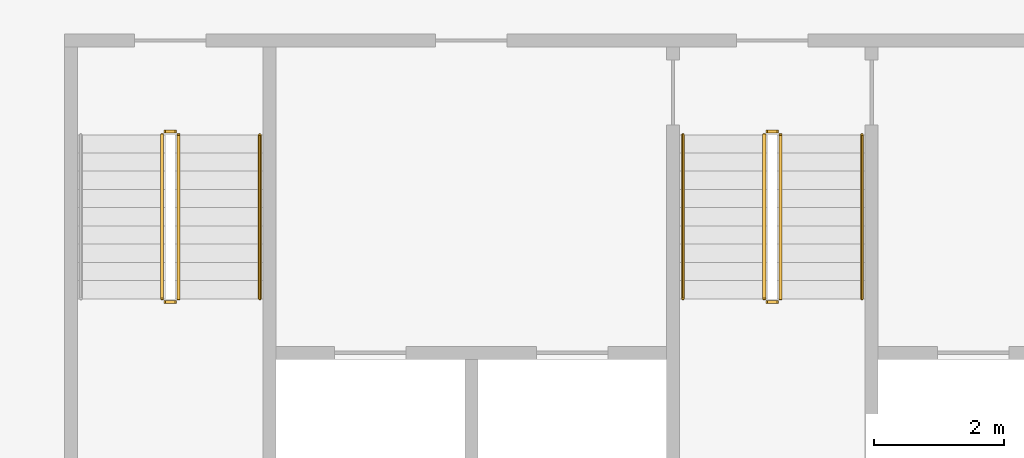
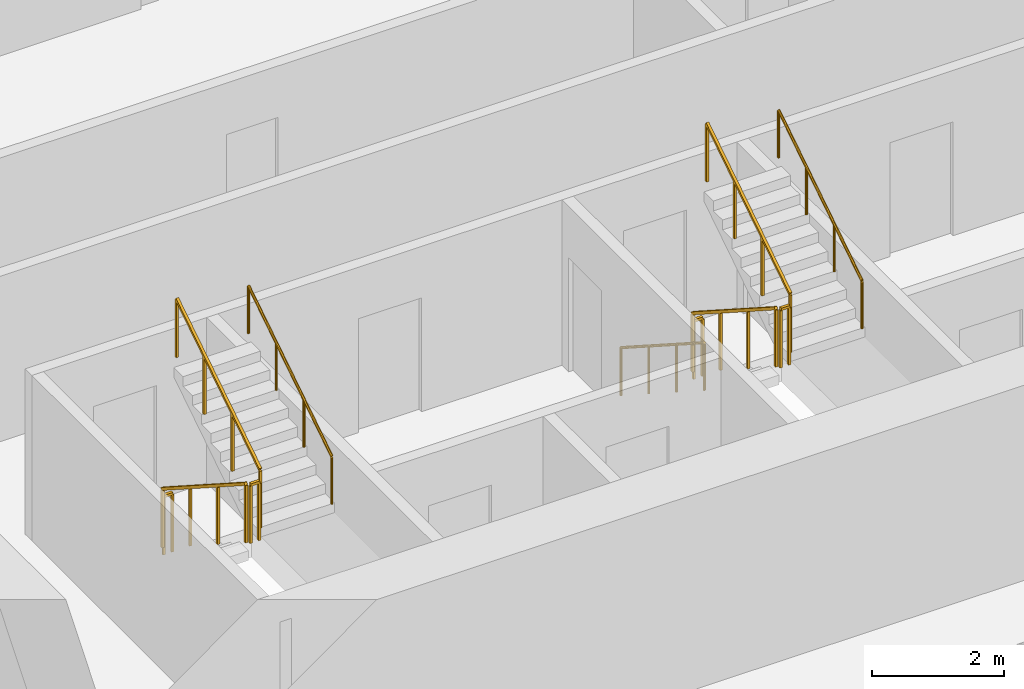
# One storey, part 12 of 14: 11 railings.
"""IFC4 building model written with IfcOpenShell, lengths in metres."""

from ifc_helpers import new_model, si_unit, direction, frame, origin, origin_2d, place, context, subcontext, project, spatial, rectangle, circle, extrude, material, type_object, element, save


model = new_model("IFC4")

# Units and contexts
model_context = context("Model", 3, precision=1e-05, world=origin(), true_north=direction((0.0, 1.0)))
body_context = subcontext(model_context, "Body", "Model", "MODEL_VIEW")
ifc_project = project(units=[si_unit("LENGTHUNIT", "METRE"), si_unit("AREAUNIT", "SQUARE_METRE"), si_unit("VOLUMEUNIT", "CUBIC_METRE"), si_unit("PLANEANGLEUNIT", "RADIAN"), si_unit("MASSUNIT", "GRAM", prefix="KILO")], contexts=[model_context])

# Site, building, storey
site_placement = place(None, origin())
site = spatial("IfcSite", under=ifc_project, at=site_placement, CompositionType="ELEMENT")
building_placement = place(site_placement, origin())
building = spatial("IfcBuilding", under=site, at=building_placement, Name="Mangrove Gate Tower", CompositionType="ELEMENT")
storey_placement = place(building_placement, frame((0.0, 0.0, 167.10009765625)))
storey = spatial("IfcBuildingStorey", under=building, at=storey_placement, Name="L42", CompositionType="ELEMENT", Elevation=167.10009765625)

# Railings
ifc_material_1 = material(Name="Stainless steel 316", Category="steel")
railing_type_1 = type_object("IfcRailingType", Name="Core stair guard 1100", PredefinedType="GUARDRAIL", material=ifc_material_1)
railing_1_placement = place(storey_placement, frame((-9.39990234375, -4.64990234375, 0.179931640625)))
element("IfcRailing", 1, at=railing_1_placement, inside=storey, type_object=railing_type_1, Name="L42 ST1 stair guard 1", PredefinedType="GUARDRAIL", context=body_context, shape_type="SweptSolid", body=[
    extrude(rectangle(XDim=0.048095703125, YDim=0.048095703125, at=origin_2d()), frame((0.0, 0.0, 1.076171875), z_axis=(0.0, -0.841199657755, 0.540724639528), x_axis=(1.0, 0.0, 0.0)), (0.0, 0.0, 1.0), 2.995849609375),
    extrude(rectangle(XDim=0.0419921875, YDim=0.0419921875, at=origin_2d()), origin(), (0.0, 0.0, 1.0), 1.052001953125),
    extrude(rectangle(XDim=0.0419921875, YDim=0.0419921875, at=origin_2d()), frame((0.0, -0.840087890625, 0.5400390625)), (0.0, 0.0, 1.0), 1.052001953125),
    extrude(rectangle(XDim=0.0419921875, YDim=0.0419921875, at=origin_2d()), frame((0.0, -1.679931640625, 1.079833984375)), (0.0, 0.0, 1.0), 1.052001953125),
    extrude(rectangle(XDim=0.0419921875, YDim=0.0419921875, at=origin_2d()), frame((0.0, -2.52001953125, 1.619873046875)), (0.0, 0.0, 1.0), 1.052001953125),
])
railing_2_placement = place(storey_placement, frame((-9.35009765625, -7.219970703125, 1.7998046875)))
element("IfcRailing", 2, at=railing_2_placement, inside=storey, type_object=railing_type_1, Name="L42 ST1 stair guard 2", PredefinedType="GUARDRAIL", context=body_context, shape_type="SweptSolid", body=[
    extrude(rectangle(XDim=0.048095703125, YDim=0.048095703125, at=origin_2d()), frame((0.0, 0.0, 1.076171875), z_axis=(1.0, 0.0, 0.0), x_axis=(0.0, 1.0, 0.0)), (0.0, 0.0, 1.0), 0.150146484375),
    extrude(rectangle(XDim=0.0419921875, YDim=0.0419921875, at=origin_2d()), origin(), (0.0, 0.0, 1.0), 1.052001953125),
    extrude(rectangle(XDim=0.0419921875, YDim=0.0419921875, at=origin_2d()), frame((0.150146484375, 0.0, 0.0)), (0.0, 0.0, 1.0), 1.052001953125),
])
railing_3_placement = place(storey_placement, frame((-9.14990234375, -7.169921875, 1.97998046875)))
element("IfcRailing", 3, at=railing_3_placement, inside=storey, type_object=railing_type_1, Name="L42 ST1 stair guard 3", PredefinedType="GUARDRAIL", context=body_context, shape_type="SweptSolid", body=[
    extrude(rectangle(XDim=0.048095703125, YDim=0.048095703125, at=origin_2d()), frame((0.0, 0.0, 1.076171875), z_axis=(0.0, 0.841199657755, 0.540724639528), x_axis=(-1.0, 0.0, 0.0)), (0.0, 0.0, 1.0), 2.995849609375),
    extrude(rectangle(XDim=0.0419921875, YDim=0.0419921875, at=origin_2d()), origin(), (0.0, 0.0, 1.0), 1.052001953125),
    extrude(rectangle(XDim=0.0419921875, YDim=0.0419921875, at=origin_2d()), frame((0.0, 0.840087890625, 0.5400390625)), (0.0, 0.0, 1.0), 1.052001953125),
    extrude(rectangle(XDim=0.0419921875, YDim=0.0419921875, at=origin_2d()), frame((0.0, 1.679931640625, 1.079833984375)), (0.0, 0.0, 1.0), 1.052001953125),
    extrude(rectangle(XDim=0.0419921875, YDim=0.0419921875, at=origin_2d()), frame((0.0, 2.52001953125, 1.619873046875)), (0.0, 0.0, 1.0), 1.052001953125),
])
railing_4_placement = place(storey_placement, frame((-9.35009765625, -4.60009765625, 0.0)))
element("IfcRailing", 4, at=railing_4_placement, inside=storey, type_object=railing_type_1, Name="L42 ST1 stair guard 4", PredefinedType="GUARDRAIL", context=body_context, shape_type="SweptSolid", body=[
    extrude(rectangle(XDim=0.048095703125, YDim=0.048095703125, at=origin_2d()), frame((0.0, 0.0, 1.076171875), z_axis=(1.0, 0.0, 0.0), x_axis=(0.0, 1.0, 0.0)), (0.0, 0.0, 1.0), 0.150146484375),
    extrude(rectangle(XDim=0.0419921875, YDim=0.0419921875, at=origin_2d()), origin(), (0.0, 0.0, 1.0), 1.052001953125),
    extrude(rectangle(XDim=0.0419921875, YDim=0.0419921875, at=origin_2d()), frame((0.150146484375, 0.0, 0.0)), (0.0, 0.0, 1.0), 1.052001953125),
])
railing_5_placement = place(storey_placement, frame((-0.14990234375, -4.64990234375, 0.179931640625)))
element("IfcRailing", 5, at=railing_5_placement, inside=storey, type_object=railing_type_1, Name="L42 ST2 stair guard 1", PredefinedType="GUARDRAIL", context=body_context, shape_type="SweptSolid", body=[
    extrude(rectangle(XDim=0.048095703125, YDim=0.048095703125, at=origin_2d()), frame((0.0, 0.0, 1.076171875), z_axis=(0.0, -0.841199657755, 0.540724639528), x_axis=(1.0, 0.0, 0.0)), (0.0, 0.0, 1.0), 2.995849609375),
    extrude(rectangle(XDim=0.0419921875, YDim=0.0419921875, at=origin_2d()), origin(), (0.0, 0.0, 1.0), 1.052001953125),
    extrude(rectangle(XDim=0.0419921875, YDim=0.0419921875, at=origin_2d()), frame((0.0, -0.840087890625, 0.5400390625)), (0.0, 0.0, 1.0), 1.052001953125),
    extrude(rectangle(XDim=0.0419921875, YDim=0.0419921875, at=origin_2d()), frame((0.0, -1.679931640625, 1.079833984375)), (0.0, 0.0, 1.0), 1.052001953125),
    extrude(rectangle(XDim=0.0419921875, YDim=0.0419921875, at=origin_2d()), frame((0.0, -2.52001953125, 1.619873046875)), (0.0, 0.0, 1.0), 1.052001953125),
])
railing_6_placement = place(storey_placement, frame((-0.10009765625, -7.219970703125, 1.7998046875)))
element("IfcRailing", 6, at=railing_6_placement, inside=storey, type_object=railing_type_1, Name="L42 ST2 stair guard 2", PredefinedType="GUARDRAIL", context=body_context, shape_type="SweptSolid", body=[
    extrude(rectangle(XDim=0.048095703125, YDim=0.048095703125, at=origin_2d()), frame((0.0, 0.0, 1.076171875), z_axis=(1.0, 0.0, 0.0), x_axis=(0.0, 1.0, 0.0)), (0.0, 0.0, 1.0), 0.150146484375),
    extrude(rectangle(XDim=0.0419921875, YDim=0.0419921875, at=origin_2d()), origin(), (0.0, 0.0, 1.0), 1.052001953125),
    extrude(rectangle(XDim=0.0419921875, YDim=0.0419921875, at=origin_2d()), frame((0.150146484375, 0.0, 0.0)), (0.0, 0.0, 1.0), 1.052001953125),
])
railing_7_placement = place(storey_placement, frame((0.10009765625, -7.169921875, 1.97998046875)))
element("IfcRailing", 7, at=railing_7_placement, inside=storey, type_object=railing_type_1, Name="L42 ST2 stair guard 3", PredefinedType="GUARDRAIL", context=body_context, shape_type="SweptSolid", body=[
    extrude(rectangle(XDim=0.048095703125, YDim=0.048095703125, at=origin_2d()), frame((0.0, 0.0, 1.076171875), z_axis=(0.0, 0.841199657755, 0.540724639528), x_axis=(-1.0, 0.0, 0.0)), (0.0, 0.0, 1.0), 2.995849609375),
    extrude(rectangle(XDim=0.0419921875, YDim=0.0419921875, at=origin_2d()), origin(), (0.0, 0.0, 1.0), 1.052001953125),
    extrude(rectangle(XDim=0.0419921875, YDim=0.0419921875, at=origin_2d()), frame((0.0, 0.840087890625, 0.5400390625)), (0.0, 0.0, 1.0), 1.052001953125),
    extrude(rectangle(XDim=0.0419921875, YDim=0.0419921875, at=origin_2d()), frame((0.0, 1.679931640625, 1.079833984375)), (0.0, 0.0, 1.0), 1.052001953125),
    extrude(rectangle(XDim=0.0419921875, YDim=0.0419921875, at=origin_2d()), frame((0.0, 2.52001953125, 1.619873046875)), (0.0, 0.0, 1.0), 1.052001953125),
])
railing_8_placement = place(storey_placement, frame((-0.10009765625, -4.60009765625, 0.0)))
element("IfcRailing", 8, at=railing_8_placement, inside=storey, type_object=railing_type_1, Name="L42 ST2 stair guard 4", PredefinedType="GUARDRAIL", context=body_context, shape_type="SweptSolid", body=[
    extrude(rectangle(XDim=0.048095703125, YDim=0.048095703125, at=origin_2d()), frame((0.0, 0.0, 1.076171875), z_axis=(1.0, 0.0, 0.0), x_axis=(0.0, 1.0, 0.0)), (0.0, 0.0, 1.0), 0.150146484375),
    extrude(rectangle(XDim=0.0419921875, YDim=0.0419921875, at=origin_2d()), origin(), (0.0, 0.0, 1.0), 1.052001953125),
    extrude(rectangle(XDim=0.0419921875, YDim=0.0419921875, at=origin_2d()), frame((0.150146484375, 0.0, 0.0)), (0.0, 0.0, 1.0), 1.052001953125),
])
ifc_material_2 = material(Name="Stainless steel 316", Category="steel")
railing_type_2 = type_object("IfcRailingType", Name="Core stair handrail 900", PredefinedType="HANDRAIL", material=ifc_material_2)
railing_9_placement = place(storey_placement, frame((-7.89990234375, -7.169921875, 1.97998046875)))
element("IfcRailing", 9, at=railing_9_placement, inside=storey, type_object=railing_type_2, Name="L42 ST1 stair handrail 2", PredefinedType="HANDRAIL", context=body_context, shape_type="SweptSolid", body=[
    extrude(circle(Radius=0.02392578125, at=origin_2d()), frame((0.0, 0.0, 0.8759765625), z_axis=(0.0, 0.841199657755, 0.540724639528), x_axis=(-1.0, 0.0, 0.0)), (0.0, 0.0, 1.0), 2.995849609375),
    extrude(circle(Radius=0.02099609375, at=origin_2d()), origin(), (0.0, 0.0, 1.0), 0.851806640625),
    extrude(circle(Radius=0.02099609375, at=origin_2d()), frame((0.0, 0.840087890625, 0.5400390625)), (0.0, 0.0, 1.0), 0.851806640625),
    extrude(circle(Radius=0.02099609375, at=origin_2d()), frame((0.0, 1.679931640625, 1.079833984375)), (0.0, 0.0, 1.0), 0.851806640625),
    extrude(circle(Radius=0.02099609375, at=origin_2d()), frame((0.0, 2.52001953125, 1.619873046875)), (0.0, 0.0, 1.0), 0.851806640625),
])
railing_10_placement = place(storey_placement, frame((-1.39990234375, -4.64990234375, 0.179931640625)))
element("IfcRailing", 10, at=railing_10_placement, inside=storey, type_object=railing_type_2, Name="L42 ST2 stair handrail 1", PredefinedType="HANDRAIL", context=body_context, shape_type="SweptSolid", body=[
    extrude(circle(Radius=0.02392578125, at=origin_2d()), frame((0.0, 0.0, 0.8759765625), z_axis=(0.0, -0.841199657755, 0.540724639528), x_axis=(1.0, 0.0, 0.0)), (0.0, 0.0, 1.0), 2.995849609375),
    extrude(circle(Radius=0.02099609375, at=origin_2d()), origin(), (0.0, 0.0, 1.0), 0.851806640625),
    extrude(circle(Radius=0.02099609375, at=origin_2d()), frame((0.0, -0.840087890625, 0.5400390625)), (0.0, 0.0, 1.0), 0.851806640625),
    extrude(circle(Radius=0.02099609375, at=origin_2d()), frame((0.0, -1.679931640625, 1.079833984375)), (0.0, 0.0, 1.0), 0.851806640625),
    extrude(circle(Radius=0.02099609375, at=origin_2d()), frame((0.0, -2.52001953125, 1.619873046875)), (0.0, 0.0, 1.0), 0.851806640625),
])
railing_11_placement = place(storey_placement, frame((1.35009765625, -7.169921875, 1.97998046875)))
element("IfcRailing", 11, at=railing_11_placement, inside=storey, type_object=railing_type_2, Name="L42 ST2 stair handrail 2", PredefinedType="HANDRAIL", context=body_context, shape_type="SweptSolid", body=[
    extrude(circle(Radius=0.02392578125, at=origin_2d()), frame((0.0, 0.0, 0.8759765625), z_axis=(0.0, 0.841199657755, 0.540724639528), x_axis=(-1.0, 0.0, 0.0)), (0.0, 0.0, 1.0), 2.995849609375),
    extrude(circle(Radius=0.02099609375, at=origin_2d()), origin(), (0.0, 0.0, 1.0), 0.851806640625),
    extrude(circle(Radius=0.02099609375, at=origin_2d()), frame((0.0, 0.840087890625, 0.5400390625)), (0.0, 0.0, 1.0), 0.851806640625),
    extrude(circle(Radius=0.02099609375, at=origin_2d()), frame((0.0, 1.679931640625, 1.079833984375)), (0.0, 0.0, 1.0), 0.851806640625),
    extrude(circle(Radius=0.02099609375, at=origin_2d()), frame((0.0, 2.52001953125, 1.619873046875)), (0.0, 0.0, 1.0), 0.851806640625),
])

save(model, "model.ifc")
